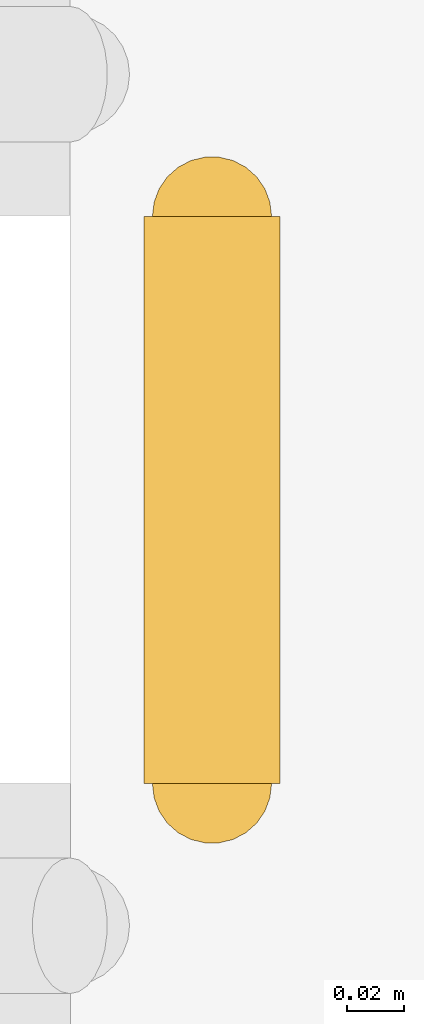
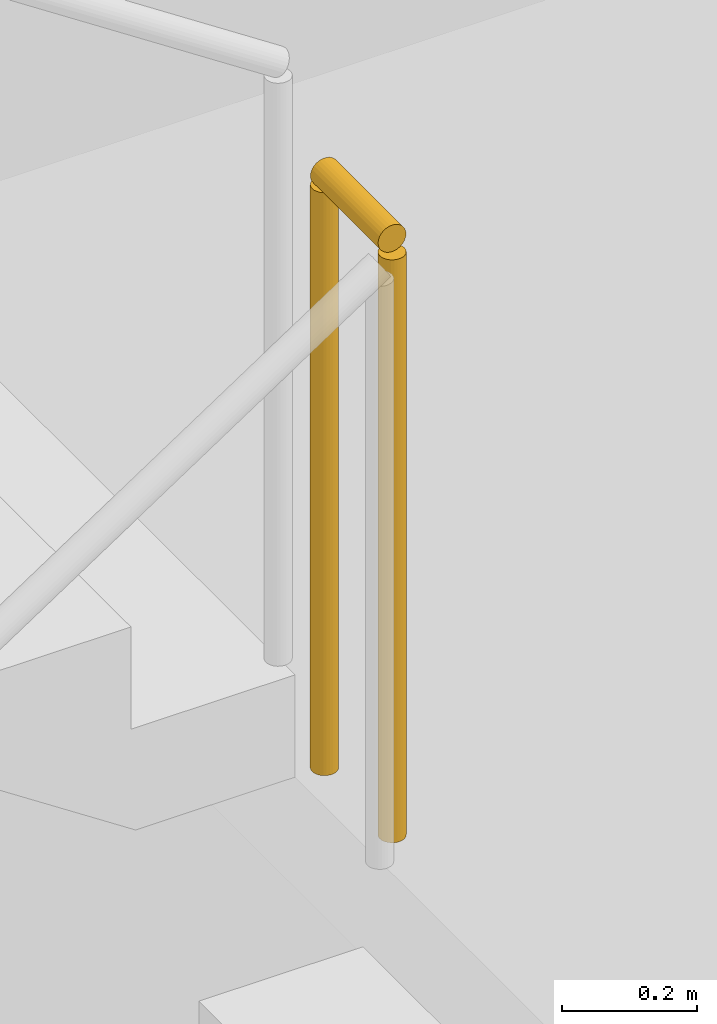
# One storey, part 124 of 127: 1 railing.
"""IFC4 building model written with IfcOpenShell, lengths in metres."""

from ifc_helpers import new_model, si_unit, direction, frame, origin, origin_2d, place, context, subcontext, project, spatial, circle, extrude, material, type_object, element, save


model = new_model("IFC4")

# Units and contexts
model_context = context("Model", 3, precision=1e-05, world=origin(), true_north=direction((0.0, 1.0)))
body_context = subcontext(model_context, "Body", "Model", "MODEL_VIEW")
ifc_project = project(units=[si_unit("LENGTHUNIT", "METRE"), si_unit("AREAUNIT", "SQUARE_METRE"), si_unit("VOLUMEUNIT", "CUBIC_METRE"), si_unit("PLANEANGLEUNIT", "RADIAN"), si_unit("MASSUNIT", "GRAM", prefix="KILO")], contexts=[model_context])

# Site, building, storey
site_placement = place(None, origin())
site = spatial("IfcSite", under=ifc_project, at=site_placement, CompositionType="ELEMENT")
building_placement = place(site_placement, origin())
building = spatial("IfcBuilding", under=site, at=building_placement, Name="Kalmorath City Hall", CompositionType="ELEMENT")
storey_placement = place(building_placement, frame((0.0, 0.0, 5.39990234375)))
storey = spatial("IfcBuildingStorey", under=building, at=storey_placement, Name="L01", CompositionType="ELEMENT", Elevation=5.39990234375)

# Railing
ifc_material = material(Name="Painted steel guardrail", Category="steel")
railing_type = type_object("IfcRailingType", Name="Protected stair guardrail 1100", PredefinedType="GUARDRAIL", material=ifc_material)
railing_placement = place(storey_placement, frame((160.760009765625, 2.75, 2.400146484375)))
element("IfcRailing", 1, at=railing_placement, inside=storey, type_object=railing_type, Name="L01 ST-7 stair guard 2", PredefinedType="GUARDRAIL", context=body_context, shape_type="SweptSolid", body=[
    extrude(circle(Radius=0.02392578125, at=origin_2d()), frame((0.0, 0.0, 1.076171875), z_axis=(0.0, 1.0, 0.0), x_axis=(-1.0, 0.0, 0.0)), (0.0, 0.0, 1.0), 0.199951171875),
    extrude(circle(Radius=0.02099609375, at=origin_2d()), origin(), (0.0, 0.0, 1.0), 1.052001953125),
    extrude(circle(Radius=0.02099609375, at=origin_2d()), frame((0.0, 0.199951171875, 0.0)), (0.0, 0.0, 1.0), 1.052001953125),
])

save(model, "model.ifc")
